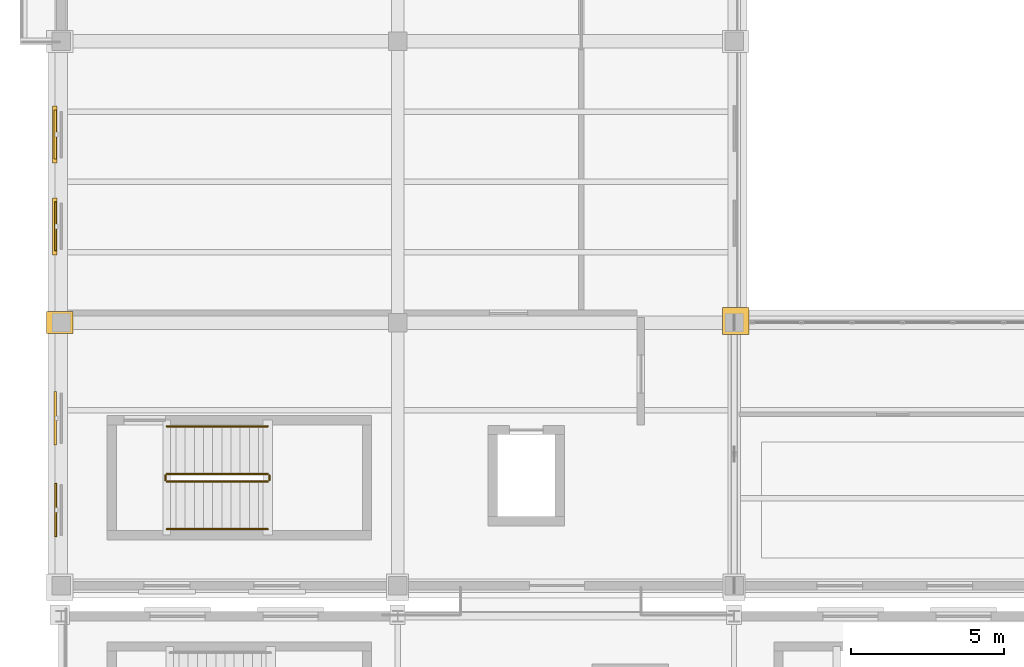
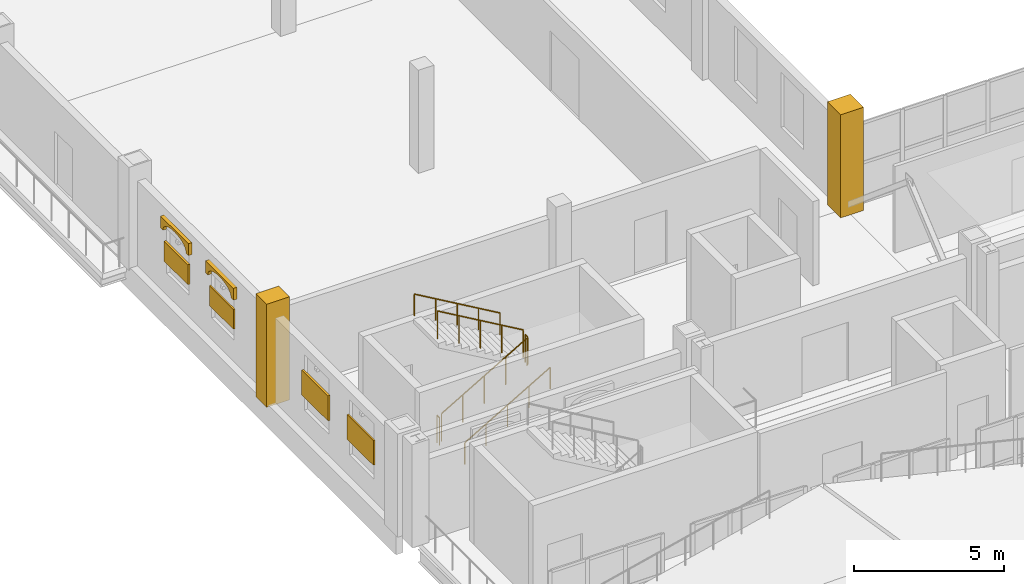
# One storey, part 110 of 120: 6 railings, 4 coverings, 4 shading devices.
"""IFC4 building model written with IfcOpenShell, lengths in metres."""

import ifcopenshell
import ifcopenshell.guid

model = None  # the IFC model being written
_history = None  # IfcOwnerHistory: only IFC2X3 demands one
_inside = {}  # id of a spatial element -> (the spatial element, [elements in it])
_under = {}  # id of a project, library or spatial element -> (it, [spatial elements below it])
_declared = {}  # id of a project -> (the project, [libraries it declares])
_typed = {}  # id of a type object -> (the type object, [elements of that type])
_made_of = {}  # id of a material, layer set ... -> (it, [elements and type objects made of it])


def new_model(schema):
    """Start an empty IFC model of exactly this schema.

    Asked for "IFC4X3", IfcOpenShell would pick the latest addendum, in which some entities
    have other attributes; the version numbers below select the first issue.
    IFC2X3 requires an IfcOwnerHistory on every rooted entity: one is made here for all.
    """
    global model, _history
    if schema == "IFC4X3":
        model = ifcopenshell.file(schema_version=(4, 3, 0, 0))
    else:
        model = ifcopenshell.file(schema=schema)
    _inside.clear()
    _under.clear()
    _declared.clear()
    _typed.clear()
    _made_of.clear()
    _history = None
    if model.schema == "IFC2X3":
        org = make("IfcOrganization", Name="unknown")
        user = make(
            "IfcPersonAndOrganization",
            ThePerson=make("IfcPerson", FamilyName="unknown"),
            TheOrganization=org,
        )
        app = make(
            "IfcApplication",
            ApplicationDeveloper=org,
            Version="unknown",
            ApplicationFullName="unknown",
            ApplicationIdentifier="unknown",
        )
        _history = make(
            "IfcOwnerHistory",
            OwningUser=user,
            OwningApplication=app,
            ChangeAction="ADDED",
            CreationDate=0,
        )
    return model


def make(cls, **values):
    """One entity of the class cls with the attributes given. An attribute that is None is left unset."""
    return model.create_entity(
        cls, **{name: value for name, value in values.items() if value is not None}
    )


def rooted(cls, **values):
    """An entity with a GlobalId (a new one), such as an element, a storey or a relation."""
    return make(cls, GlobalId=ifcopenshell.guid.new(), OwnerHistory=_history, **values)


def si_unit(unit_type, name, prefix=None):
    """IfcSIUnit, for example si_unit("LENGTHUNIT", "METRE", prefix="MILLI")."""
    return make("IfcSIUnit", UnitType=unit_type, Prefix=prefix, Name=name)


def assignment(units):
    """IfcUnitAssignment: the units of a project."""
    return None if units is None else make("IfcUnitAssignment", Units=units)


def point(xyz):
    """IfcCartesianPoint."""
    return None if xyz is None else make("IfcCartesianPoint", Coordinates=xyz)


def direction(xyz):
    """IfcDirection."""
    return None if xyz is None else make("IfcDirection", DirectionRatios=xyz)


def frame(location, z_axis=None, x_axis=None):
    """IfcAxis2Placement3D, a coordinate frame: its origin and axes. An axis left out is left unset."""
    return make(
        "IfcAxis2Placement3D",
        Location=point(location),
        Axis=direction(z_axis),
        RefDirection=direction(x_axis),
    )


def frame_2d(location, x_axis=None):
    """IfcAxis2Placement2D, a coordinate frame in the plane: its origin and x axis."""
    return make(
        "IfcAxis2Placement2D", Location=point(location), RefDirection=direction(x_axis)
    )


def origin():
    """The frame at (0, 0, 0) with its axes left unset."""
    return frame((0.0, 0.0, 0.0))


def origin_2d():
    """The frame at (0, 0) in the plane with its x axis left unset."""
    return frame_2d((0.0, 0.0))


def place(relative_to, where):
    """IfcLocalPlacement: puts the frame where relative to a parent placement (None: the world)."""
    return make(
        "IfcLocalPlacement", PlacementRelTo=relative_to, RelativePlacement=where
    )


def context(
    kind, dimensions, precision=None, world=None, true_north=None, identifier=None
):
    """IfcGeometricRepresentationContext, for example the 3D "Model" context."""
    return make(
        "IfcGeometricRepresentationContext",
        ContextIdentifier=identifier,
        ContextType=kind,
        CoordinateSpaceDimension=dimensions,
        Precision=precision,
        WorldCoordinateSystem=world,
        TrueNorth=true_north,
    )


def subcontext(parent, identifier, kind, view, scale=None):
    """IfcGeometricRepresentationSubContext, for example "Body" below "Model"."""
    return make(
        "IfcGeometricRepresentationSubContext",
        ContextIdentifier=identifier,
        ContextType=kind,
        ParentContext=parent,
        TargetScale=scale,
        TargetView=view,
    )


def project(units=None, contexts=None):
    """IfcProject with its units and contexts."""
    return rooted(
        "IfcProject",
        Name="project",
        RepresentationContexts=contexts,
        UnitsInContext=assignment(units),
    )


def spatial(cls, under=None, at=None, **own):
    """A site, building, storey or space (cls), placed at a placement, below another one or the project."""
    s = rooted(cls, ObjectPlacement=at, **own)
    if under is not None:
        _under.setdefault(under.id(), (under, []))[1].append(s)
    return s


def polyline(points):
    """IfcPolyline through the points."""
    return make("IfcPolyline", Points=[point(p) for p in points])


def profile(cls, at=None, kind="AREA", **sizes):
    """A parametric profile (cls). Its sizes go by their IFC names, for example OverallWidth=200.0."""
    return make(cls, ProfileType=kind, Position=at, **sizes)


def rectangle(**sizes):
    """IfcRectangleProfileDef."""
    return profile("IfcRectangleProfileDef", **sizes)


def circle(**sizes):
    """IfcCircleProfileDef."""
    return profile("IfcCircleProfileDef", **sizes)


def outline(outer, holes=None, kind="AREA"):
    """IfcArbitraryClosedProfileDef: a profile drawn as a closed curve; with holes, ...WithVoids."""
    if holes is None:
        return make("IfcArbitraryClosedProfileDef", ProfileType=kind, OuterCurve=outer)
    return make(
        "IfcArbitraryProfileDefWithVoids",
        ProfileType=kind,
        OuterCurve=outer,
        InnerCurves=holes,
    )


def extrude(swept, where, along, depth):
    """IfcExtrudedAreaSolid: the profile swept, set in the frame where, extruded along a direction by depth."""
    return make(
        "IfcExtrudedAreaSolid",
        SweptArea=swept,
        Position=where,
        ExtrudedDirection=direction(along),
        Depth=depth,
    )


def shape(context_of_items, identifier, shape_type, items):
    """IfcShapeRepresentation: the items that make up one representation, for example the "Body"."""
    return make(
        "IfcShapeRepresentation",
        ContextOfItems=context_of_items,
        RepresentationIdentifier=identifier,
        RepresentationType=shape_type,
        Items=items,
    )


def material(Name=None, Category=None):
    """IfcMaterial."""
    return make("IfcMaterial", Name=Name, Category=Category)


def layer(
    of_material, thickness, ventilated=None, Name=None, Category=None, Priority=None
):
    """IfcMaterialLayer: one layer of a wall or slab, of a material (None: an air gap)."""
    return make(
        "IfcMaterialLayer",
        Material=of_material,
        LayerThickness=thickness,
        IsVentilated=ventilated,
        Name=Name,
        Category=Category,
        Priority=Priority,
    )


def layer_set(layers, Name=None):
    """IfcMaterialLayerSet."""
    return make("IfcMaterialLayerSet", MaterialLayers=layers, LayerSetName=Name)


def made_of(thing, what):
    """Note that an element or type object is made of a material, layer set ...; save() writes the relation."""
    if what is not None:
        _made_of.setdefault(what.id(), (what, []))[1].append(thing)
    return thing


def type_object(cls, material=None, **own):
    """A type object (cls), such as IfcWallType, which elements share."""
    return made_of(rooted(cls, **own), material)


def element(
    cls,
    number,
    at=None,
    inside=None,
    cuts=None,
    type_object=None,
    material=None,
    context=None,
    identifier="Body",
    shape_type=None,
    held_by="IfcProductDefinitionShape",
    body=None,
    shapes=None,
    **own,
):
    """One element of the class cls, such as IfcWall. Its Tag is "e" and its number.

    at: its placement. inside: the storey or other place that contains it. cuts: it is an
    opening in that element (IfcRelVoidsElement). A single representation is given by context,
    identifier, shape_type and body (its items); several are given by shapes. held_by: the class
    of the entity that holds the representations. save() writes the other relations.
    """
    e = rooted(cls, Tag="e%d" % number, ObjectPlacement=at, **own)
    if body is not None:
        shapes = [shape(context, identifier, shape_type, body)]
    if shapes is not None:
        e.Representation = make(held_by, Representations=shapes)
    if inside is not None:
        _inside.setdefault(inside.id(), (inside, []))[1].append(e)
    if cuts is not None:
        rooted(
            "IfcRelVoidsElement", RelatingBuildingElement=cuts, RelatedOpeningElement=e
        )
    if type_object is not None:
        _typed.setdefault(type_object.id(), (type_object, []))[1].append(e)
    return made_of(e, material)


def aggregate(whole, parts):
    """IfcRelAggregates: a whole, such as a stair, and the parts it consists of."""
    return rooted("IfcRelAggregates", RelatingObject=whole, RelatedObjects=parts)


def save(model, path):
    """Write the relations noted so far, then the file.

    IfcRelAggregates (storeys below a building ...), IfcRelContainedInSpatialStructure (elements
    in a storey), IfcRelDefinesByType, IfcRelAssociatesMaterial and IfcRelDeclares: one each for
    every whole, place, type object, material and project.
    """
    for whole, parts in _under.values():
        aggregate(whole, parts)
    for where, things in _inside.values():
        rooted(
            "IfcRelContainedInSpatialStructure",
            RelatedElements=things,
            RelatingStructure=where,
        )
    for kind, things in _typed.values():
        rooted("IfcRelDefinesByType", RelatedObjects=things, RelatingType=kind)
    for what, things in _made_of.values():
        rooted("IfcRelAssociatesMaterial", RelatedObjects=things, RelatingMaterial=what)
    for by, libraries in _declared.values():
        rooted("IfcRelDeclares", RelatingContext=by, RelatedDefinitions=libraries)
    model.write(path)


model = new_model("IFC4")

# Units and contexts
model_context = context("Model", 3, precision=1e-05, world=origin(), true_north=direction((0.0, 1.0)))
body_context = subcontext(model_context, "Body", "Model", "MODEL_VIEW")
ifc_project = project(units=[si_unit("LENGTHUNIT", "METRE"), si_unit("AREAUNIT", "SQUARE_METRE"), si_unit("VOLUMEUNIT", "CUBIC_METRE"), si_unit("PLANEANGLEUNIT", "RADIAN"), si_unit("MASSUNIT", "GRAM", prefix="KILO")], contexts=[model_context])

# Site, building, storey
site_placement = place(None, origin())
site = spatial("IfcSite", under=ifc_project, at=site_placement, CompositionType="ELEMENT")
building_placement = place(site_placement, origin())
building = spatial("IfcBuilding", under=site, at=building_placement, Name="Caurita Quay Ferry Terminal", CompositionType="ELEMENT")
storey_placement = place(building_placement, frame((0.0, 0.0, 9.89990234375)))
storey = spatial("IfcBuildingStorey", under=building, at=storey_placement, Name="L02", CompositionType="ELEMENT", Elevation=9.89990234375)

# Coverings
ifc_material_1 = material(Name="Warm-white lime stucco masonry", Category="masonry")
ifc_layer_1 = layer(ifc_material_1, 0.179931640625, Name="Classical engaged lime-stucco facade pilaster cladding 180 mm")
ifc_layer_set_1 = layer_set([ifc_layer_1], Name="Warm-white lime stucco masonry")
covering_type_1 = type_object("IfcCoveringType", Name="COV-PIL-CLD", PredefinedType="CLADDING", material=ifc_layer_set_1)
covering_1_placement = place(storey_placement, frame((-0.050048828125, 80.199951171875, 0.0), z_axis=(0.0, 0.0, 1.0), x_axis=(1.0, 0.0, 0.0)))
element("IfcCovering", 1, at=covering_1_placement, inside=storey, type_object=covering_type_1, Name="L02 Classical Engaged Pilaster 0273", PredefinedType="CLADDING", context=body_context, shape_type="SweptSolid", body=[
    extrude(rectangle(XDim=0.8798828125, YDim=0.719970703125, at=origin_2d()), origin(), (0.0, 0.0, 1.0), 4.199951171875),
])
covering_2_placement = place(storey_placement, frame((22.050048828125, 80.25, 0.0), z_axis=(0.0, 0.0, 1.0), x_axis=(1.0, 0.0, 0.0)))
element("IfcCovering", 2, at=covering_2_placement, inside=storey, type_object=covering_type_1, Name="L02 Classical Engaged Pilaster 0311", PredefinedType="CLADDING", context=body_context, shape_type="SweptSolid", body=[
    extrude(rectangle(XDim=0.8798828125, YDim=0.8798828125, at=origin_2d()), origin(), (0.0, 0.0, 1.0), 4.199951171875),
])
ifc_material_2 = material(Name="Coral stone ashlar cladding", Category="masonry")
ifc_layer_2 = layer(ifc_material_2, 0.139892578125, Name="Spanish Colonial semicircular arched window surround 140 mm")
ifc_layer_set_2 = layer_set([ifc_layer_2], Name="Coral stone ashlar cladding")
covering_type_2 = type_object("IfcCoveringType", Name="COV-WHD-MLD", PredefinedType="MOLDING", material=ifc_layer_set_2)
for number, where, z_axis, x_axis, name in (
    (3, (-0.215087890625, 87.280029296875, 2.72998046875), (0.0, 0.0, 1.0), (0.0, -1.0, 0.0), "L02 Arched Window Surround 040"),
    (4, (-0.215087890625, 84.280029296875, 2.72998046875), (0.0, 0.0, 1.0), (0.0, -1.0, 0.0), "L02 Arched Window Surround 041"),
):
    element("IfcCovering", number, at=place(storey_placement, frame(where, z_axis=z_axis, x_axis=x_axis)), inside=storey, type_object=covering_type_2, Name=name, PredefinedType="MOLDING", context=body_context, shape_type="SweptSolid", body=[
        extrude(outline(polyline([(0.0, 0.0), (0.159912109375, 0.0), (0.159912109375, 0.0400390625), (0.19775390625, 0.1513671875), (0.30712890625, 0.251708984375), (0.4775390625, 0.331298828125), (0.692138671875, 0.38232421875), (0.929931640625, 0.39990234375), (1.16796875, 0.38232421875), (1.382568359375, 0.331298828125), (1.552978515625, 0.251708984375), (1.662353515625, 0.1513671875), (1.7001953125, 0.0400390625), (1.7001953125, 0.0), (1.860107421875, 0.0), (1.860107421875, 0.480224609375), (0.0, 0.480224609375), (0.0, 0.0)])), frame((0.0, 0.06982421875, 0.0), z_axis=(0.0, -1.0, 0.0), x_axis=(1.0, 0.0, 0.0)), (0.0, 0.0, 1.0), 0.139892578125),
    ])

# Railings
ifc_material_3 = material(Name="Bronze architectural metalwork", Category="metal")
railing_type_1 = type_object("IfcRailingType", Name="RL-HND-090", PredefinedType="HANDRAIL", material=ifc_material_3)
railing_1_placement = place(storey_placement, frame((3.449951171875, 73.449951171875, 0.175048828125)))
element("IfcRailing", 5, at=railing_1_placement, inside=storey, type_object=railing_type_1, Name="L02 ST-02 stair handrail 1", PredefinedType="HANDRAIL", context=body_context, shape_type="SweptSolid", body=[
    extrude(circle(Radius=0.02392578125, at=origin_2d()), frame((0.0, 0.0, 0.8759765625), z_axis=(0.863776583165, 0.0, 0.503874998761), x_axis=(0.0, 1.0, 0.0)), (0.0, 0.0, 1.0), 3.820556640625),
    extrude(circle(Radius=0.02099609375, at=origin_2d()), origin(), (0.0, 0.0, 1.0), 0.851806640625),
    extrude(circle(Radius=0.02099609375, at=origin_2d()), frame((0.824951171875, 0.0, 0.481201171875)), (0.0, 0.0, 1.0), 0.851806640625),
    extrude(circle(Radius=0.02099609375, at=origin_2d()), frame((1.64990234375, 0.0, 0.96240234375)), (0.0, 0.0, 1.0), 0.851806640625),
    extrude(circle(Radius=0.02099609375, at=origin_2d()), frame((2.47509765625, 0.0, 1.44384765625)), (0.0, 0.0, 1.0), 0.851806640625),
    extrude(circle(Radius=0.02099609375, at=origin_2d()), frame((3.300048828125, 0.0, 1.925048828125)), (0.0, 0.0, 1.0), 0.851806640625),
])
railing_2_placement = place(storey_placement, frame((6.75, 76.81005859375, 2.275146484375)))
element("IfcRailing", 6, at=railing_2_placement, inside=storey, type_object=railing_type_1, Name="L02 ST-02 stair handrail 2", PredefinedType="HANDRAIL", context=body_context, shape_type="SweptSolid", body=[
    extrude(circle(Radius=0.02392578125, at=origin_2d()), frame((0.0, 0.0, 0.8759765625), z_axis=(-0.863776583165, 0.0, 0.503874998761), x_axis=(0.0, -1.0, 0.0)), (0.0, 0.0, 1.0), 3.820556640625),
    extrude(circle(Radius=0.02099609375, at=origin_2d()), origin(), (0.0, 0.0, 1.0), 0.851806640625),
    extrude(circle(Radius=0.02099609375, at=origin_2d()), frame((-0.824951171875, 0.0, 0.481201171875)), (0.0, 0.0, 1.0), 0.851806640625),
    extrude(circle(Radius=0.02099609375, at=origin_2d()), frame((-1.64990234375, 0.0, 0.96240234375)), (0.0, 0.0, 1.0), 0.851806640625),
    extrude(circle(Radius=0.02099609375, at=origin_2d()), frame((-2.47509765625, 0.0, 1.44384765625)), (0.0, 0.0, 1.0), 0.851806640625),
    extrude(circle(Radius=0.02099609375, at=origin_2d()), frame((-3.300048828125, 0.0, 1.925048828125)), (0.0, 0.0, 1.0), 0.851806640625),
])
railing_type_2 = type_object("IfcRailingType", Name="RL-REJA-115", PredefinedType="BALUSTRADE", material=ifc_material_3)
railing_3_placement = place(storey_placement, frame((3.449951171875, 75.0, 0.175048828125)))
element("IfcRailing", 7, at=railing_3_placement, inside=storey, type_object=railing_type_2, Name="L02 ST-02 stair guard 1", PredefinedType="BALUSTRADE", context=body_context, shape_type="SweptSolid", body=[
    extrude(circle(Radius=0.02392578125, at=origin_2d()), frame((0.0, 0.0, 1.1259765625), z_axis=(0.863776583165, 0.0, 0.503874998761), x_axis=(0.0, 1.0, 0.0)), (0.0, 0.0, 1.0), 3.820556640625),
    extrude(circle(Radius=0.02099609375, at=origin_2d()), origin(), (0.0, 0.0, 1.0), 1.101806640625),
    extrude(circle(Radius=0.02099609375, at=origin_2d()), frame((0.824951171875, 0.0, 0.481201171875)), (0.0, 0.0, 1.0), 1.101806640625),
    extrude(circle(Radius=0.02099609375, at=origin_2d()), frame((1.64990234375, 0.0, 0.96240234375)), (0.0, 0.0, 1.0), 1.101806640625),
    extrude(circle(Radius=0.02099609375, at=origin_2d()), frame((2.47509765625, 0.0, 1.44384765625)), (0.0, 0.0, 1.0), 1.101806640625),
    extrude(circle(Radius=0.02099609375, at=origin_2d()), frame((3.300048828125, 0.0, 1.925048828125)), (0.0, 0.0, 1.0), 1.101806640625),
])
railing_4_placement = place(storey_placement, frame((6.800048828125, 75.050048828125, 2.10009765625)))
element("IfcRailing", 8, at=railing_4_placement, inside=storey, type_object=railing_type_2, Name="L02 ST-02 stair guard 2", PredefinedType="BALUSTRADE", context=body_context, shape_type="SweptSolid", body=[
    extrude(circle(Radius=0.02392578125, at=origin_2d()), frame((0.0, 0.0, 1.1259765625), z_axis=(0.0, 1.0, 0.0), x_axis=(-1.0, 0.0, 0.0)), (0.0, 0.0, 1.0), 0.159912109375),
    extrude(circle(Radius=0.02099609375, at=origin_2d()), origin(), (0.0, 0.0, 1.0), 1.101806640625),
    extrude(circle(Radius=0.02099609375, at=origin_2d()), frame((0.0, 0.159912109375, 0.0)), (0.0, 0.0, 1.0), 1.101806640625),
])
railing_5_placement = place(storey_placement, frame((6.75, 75.260009765625, 2.275146484375)))
element("IfcRailing", 9, at=railing_5_placement, inside=storey, type_object=railing_type_2, Name="L02 ST-02 stair guard 3", PredefinedType="BALUSTRADE", context=body_context, shape_type="SweptSolid", body=[
    extrude(circle(Radius=0.02392578125, at=origin_2d()), frame((0.0, 0.0, 1.1259765625), z_axis=(-0.863776583165, 0.0, 0.503874998761), x_axis=(0.0, -1.0, 0.0)), (0.0, 0.0, 1.0), 3.820556640625),
    extrude(circle(Radius=0.02099609375, at=origin_2d()), origin(), (0.0, 0.0, 1.0), 1.101806640625),
    extrude(circle(Radius=0.02099609375, at=origin_2d()), frame((-0.824951171875, 0.0, 0.481201171875)), (0.0, 0.0, 1.0), 1.101806640625),
    extrude(circle(Radius=0.02099609375, at=origin_2d()), frame((-1.64990234375, 0.0, 0.96240234375)), (0.0, 0.0, 1.0), 1.101806640625),
    extrude(circle(Radius=0.02099609375, at=origin_2d()), frame((-2.47509765625, 0.0, 1.44384765625)), (0.0, 0.0, 1.0), 1.101806640625),
    extrude(circle(Radius=0.02099609375, at=origin_2d()), frame((-3.300048828125, 0.0, 1.925048828125)), (0.0, 0.0, 1.0), 1.101806640625),
])
railing_6_placement = place(storey_placement, frame((3.39990234375, 75.050048828125, 0.0)))
element("IfcRailing", 10, at=railing_6_placement, inside=storey, type_object=railing_type_2, Name="L02 ST-02 stair guard 4", PredefinedType="BALUSTRADE", context=body_context, shape_type="SweptSolid", body=[
    extrude(circle(Radius=0.02392578125, at=origin_2d()), frame((0.0, 0.0, 1.1259765625), z_axis=(0.0, 1.0, 0.0), x_axis=(-1.0, 0.0, 0.0)), (0.0, 0.0, 1.0), 0.159912109375),
    extrude(circle(Radius=0.02099609375, at=origin_2d()), origin(), (0.0, 0.0, 1.0), 1.101806640625),
    extrude(circle(Radius=0.02099609375, at=origin_2d()), frame((0.0, 0.159912109375, 0.0)), (0.0, 0.0, 1.0), 1.101806640625),
])

# Shading devices
shading_device_type_1 = type_object("IfcShadingDeviceType", Name="SHD-JAL-01", PredefinedType="JALOUSIE", material=ifc_material_3)
shading_device_1_placement = place(storey_placement, frame((-0.193115234375, 77.074951171875, 1.56884765625), z_axis=(0.0, 0.0, 1.0), x_axis=(0.0, -1.0, 0.0)))
element("IfcShadingDevice", 11, at=shading_device_1_placement, inside=storey, type_object=shading_device_type_1, Name="L02 Tropical Window Sun-Breaker 043", PredefinedType="JALOUSIE", context=body_context, shape_type="SweptSolid", body=[
    extrude(rectangle(XDim=1.75, YDim=0.080078125, at=origin_2d()), origin(), (0.0, 0.0, 1.0), 1.012451171875),
])
shading_device_2_placement = place(storey_placement, frame((-0.193115234375, 86.35009765625, 1.445068359375), z_axis=(0.0, 0.0, 1.0), x_axis=(0.0, -1.0, 0.0)))
element("IfcShadingDevice", 12, at=shading_device_2_placement, inside=storey, type_object=shading_device_type_1, Name="L02 Tropical Window Sun-Breaker 045", PredefinedType="JALOUSIE", context=body_context, shape_type="SweptSolid", body=[
    extrude(rectangle(XDim=1.60009765625, YDim=0.080078125, at=origin_2d()), origin(), (0.0, 0.0, 1.0), 0.81005859375),
])
ifc_material_4 = material(Name="Tropical mahogany hardwood", Category="wood")
shading_device_type_2 = type_object("IfcShadingDeviceType", Name="SHD-SHT-01", PredefinedType="SHUTTER", material=ifc_material_4)
shading_device_3_placement = place(storey_placement, frame((-0.18310546875, 74.074951171875, 1.56884765625), z_axis=(0.0, 0.0, 1.0), x_axis=(0.0, -1.0, 0.0)))
element("IfcShadingDevice", 13, at=shading_device_3_placement, inside=storey, type_object=shading_device_type_2, Name="L02 Tropical Window Sun-Breaker 044", PredefinedType="SHUTTER", context=body_context, shape_type="SweptSolid", body=[
    extrude(rectangle(XDim=1.75, YDim=0.06005859375, at=origin_2d()), origin(), (0.0, 0.0, 1.0), 1.012451171875),
])
shading_device_4_placement = place(storey_placement, frame((-0.18310546875, 83.35009765625, 1.445068359375), z_axis=(0.0, 0.0, 1.0), x_axis=(0.0, -1.0, 0.0)))
element("IfcShadingDevice", 14, at=shading_device_4_placement, inside=storey, type_object=shading_device_type_2, Name="L02 Tropical Window Sun-Breaker 046", PredefinedType="SHUTTER", context=body_context, shape_type="SweptSolid", body=[
    extrude(rectangle(XDim=1.60009765625, YDim=0.06005859375, at=origin_2d()), origin(), (0.0, 0.0, 1.0), 0.81005859375),
])

save(model, "model.ifc")
